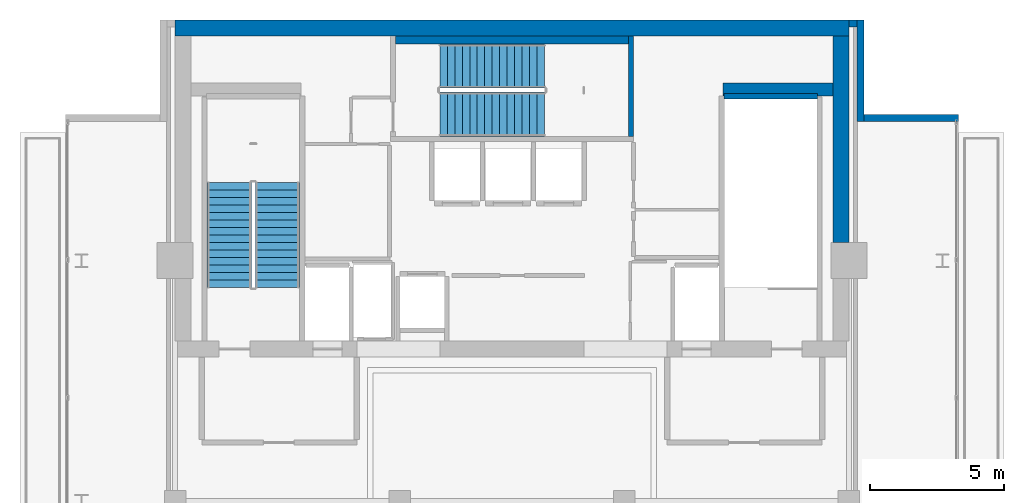
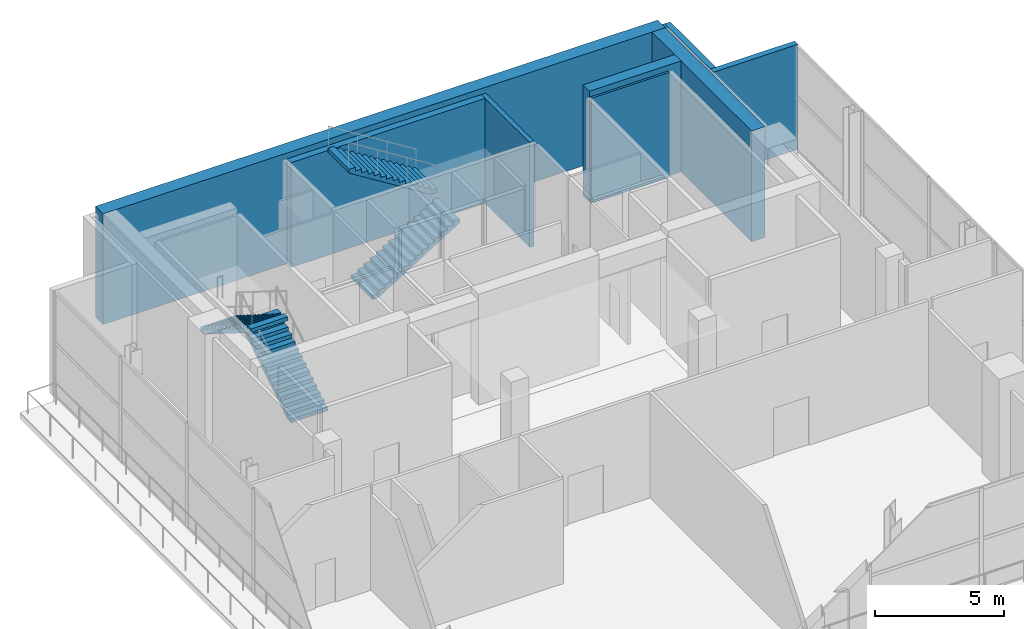
# One storey, part 15 of 19: 9 walls, 4 stair flights, 2 elements without a shape of their own.
"""IFC4 building model written with IfcOpenShell, lengths in metres."""

import ifcopenshell
import ifcopenshell.guid

model = None  # the IFC model being written
_history = None  # IfcOwnerHistory: only IFC2X3 demands one
_inside = {}  # id of a spatial element -> (the spatial element, [elements in it])
_under = {}  # id of a project, library or spatial element -> (it, [spatial elements below it])
_declared = {}  # id of a project -> (the project, [libraries it declares])
_typed = {}  # id of a type object -> (the type object, [elements of that type])
_made_of = {}  # id of a material, layer set ... -> (it, [elements and type objects made of it])


def new_model(schema):
    """Start an empty IFC model of exactly this schema.

    Asked for "IFC4X3", IfcOpenShell would pick the latest addendum, in which some entities
    have other attributes; the version numbers below select the first issue.
    IFC2X3 requires an IfcOwnerHistory on every rooted entity: one is made here for all.
    """
    global model, _history
    if schema == "IFC4X3":
        model = ifcopenshell.file(schema_version=(4, 3, 0, 0))
    else:
        model = ifcopenshell.file(schema=schema)
    _inside.clear()
    _under.clear()
    _declared.clear()
    _typed.clear()
    _made_of.clear()
    _history = None
    if model.schema == "IFC2X3":
        org = make("IfcOrganization", Name="unknown")
        user = make(
            "IfcPersonAndOrganization",
            ThePerson=make("IfcPerson", FamilyName="unknown"),
            TheOrganization=org,
        )
        app = make(
            "IfcApplication",
            ApplicationDeveloper=org,
            Version="unknown",
            ApplicationFullName="unknown",
            ApplicationIdentifier="unknown",
        )
        _history = make(
            "IfcOwnerHistory",
            OwningUser=user,
            OwningApplication=app,
            ChangeAction="ADDED",
            CreationDate=0,
        )
    return model


def make(cls, **values):
    """One entity of the class cls with the attributes given. An attribute that is None is left unset."""
    return model.create_entity(
        cls, **{name: value for name, value in values.items() if value is not None}
    )


def rooted(cls, **values):
    """An entity with a GlobalId (a new one), such as an element, a storey or a relation."""
    return make(cls, GlobalId=ifcopenshell.guid.new(), OwnerHistory=_history, **values)


def si_unit(unit_type, name, prefix=None):
    """IfcSIUnit, for example si_unit("LENGTHUNIT", "METRE", prefix="MILLI")."""
    return make("IfcSIUnit", UnitType=unit_type, Prefix=prefix, Name=name)


def assignment(units):
    """IfcUnitAssignment: the units of a project."""
    return None if units is None else make("IfcUnitAssignment", Units=units)


def point(xyz):
    """IfcCartesianPoint."""
    return None if xyz is None else make("IfcCartesianPoint", Coordinates=xyz)


def direction(xyz):
    """IfcDirection."""
    return None if xyz is None else make("IfcDirection", DirectionRatios=xyz)


def frame(location, z_axis=None, x_axis=None):
    """IfcAxis2Placement3D, a coordinate frame: its origin and axes. An axis left out is left unset."""
    return make(
        "IfcAxis2Placement3D",
        Location=point(location),
        Axis=direction(z_axis),
        RefDirection=direction(x_axis),
    )


def frame_2d(location, x_axis=None):
    """IfcAxis2Placement2D, a coordinate frame in the plane: its origin and x axis."""
    return make(
        "IfcAxis2Placement2D", Location=point(location), RefDirection=direction(x_axis)
    )


def origin():
    """The frame at (0, 0, 0) with its axes left unset."""
    return frame((0.0, 0.0, 0.0))


def place(relative_to, where):
    """IfcLocalPlacement: puts the frame where relative to a parent placement (None: the world)."""
    return make(
        "IfcLocalPlacement", PlacementRelTo=relative_to, RelativePlacement=where
    )


def context(
    kind, dimensions, precision=None, world=None, true_north=None, identifier=None
):
    """IfcGeometricRepresentationContext, for example the 3D "Model" context."""
    return make(
        "IfcGeometricRepresentationContext",
        ContextIdentifier=identifier,
        ContextType=kind,
        CoordinateSpaceDimension=dimensions,
        Precision=precision,
        WorldCoordinateSystem=world,
        TrueNorth=true_north,
    )


def subcontext(parent, identifier, kind, view, scale=None):
    """IfcGeometricRepresentationSubContext, for example "Body" below "Model"."""
    return make(
        "IfcGeometricRepresentationSubContext",
        ContextIdentifier=identifier,
        ContextType=kind,
        ParentContext=parent,
        TargetScale=scale,
        TargetView=view,
    )


def project(units=None, contexts=None):
    """IfcProject with its units and contexts."""
    return rooted(
        "IfcProject",
        Name="project",
        RepresentationContexts=contexts,
        UnitsInContext=assignment(units),
    )


def spatial(cls, under=None, at=None, **own):
    """A site, building, storey or space (cls), placed at a placement, below another one or the project."""
    s = rooted(cls, ObjectPlacement=at, **own)
    if under is not None:
        _under.setdefault(under.id(), (under, []))[1].append(s)
    return s


def polyline(points):
    """IfcPolyline through the points."""
    return make("IfcPolyline", Points=[point(p) for p in points])


def profile(cls, at=None, kind="AREA", **sizes):
    """A parametric profile (cls). Its sizes go by their IFC names, for example OverallWidth=200.0."""
    return make(cls, ProfileType=kind, Position=at, **sizes)


def rectangle(**sizes):
    """IfcRectangleProfileDef."""
    return profile("IfcRectangleProfileDef", **sizes)


def outline(outer, holes=None, kind="AREA"):
    """IfcArbitraryClosedProfileDef: a profile drawn as a closed curve; with holes, ...WithVoids."""
    if holes is None:
        return make("IfcArbitraryClosedProfileDef", ProfileType=kind, OuterCurve=outer)
    return make(
        "IfcArbitraryProfileDefWithVoids",
        ProfileType=kind,
        OuterCurve=outer,
        InnerCurves=holes,
    )


def extrude(swept, where, along, depth):
    """IfcExtrudedAreaSolid: the profile swept, set in the frame where, extruded along a direction by depth."""
    return make(
        "IfcExtrudedAreaSolid",
        SweptArea=swept,
        Position=where,
        ExtrudedDirection=direction(along),
        Depth=depth,
    )


def shape(context_of_items, identifier, shape_type, items):
    """IfcShapeRepresentation: the items that make up one representation, for example the "Body"."""
    return make(
        "IfcShapeRepresentation",
        ContextOfItems=context_of_items,
        RepresentationIdentifier=identifier,
        RepresentationType=shape_type,
        Items=items,
    )


def material(Name=None, Category=None):
    """IfcMaterial."""
    return make("IfcMaterial", Name=Name, Category=Category)


def layer(
    of_material, thickness, ventilated=None, Name=None, Category=None, Priority=None
):
    """IfcMaterialLayer: one layer of a wall or slab, of a material (None: an air gap)."""
    return make(
        "IfcMaterialLayer",
        Material=of_material,
        LayerThickness=thickness,
        IsVentilated=ventilated,
        Name=Name,
        Category=Category,
        Priority=Priority,
    )


def layer_set(layers, Name=None):
    """IfcMaterialLayerSet."""
    return make("IfcMaterialLayerSet", MaterialLayers=layers, LayerSetName=Name)


def made_of(thing, what):
    """Note that an element or type object is made of a material, layer set ...; save() writes the relation."""
    if what is not None:
        _made_of.setdefault(what.id(), (what, []))[1].append(thing)
    return thing


def type_object(cls, material=None, **own):
    """A type object (cls), such as IfcWallType, which elements share."""
    return made_of(rooted(cls, **own), material)


def element(
    cls,
    number,
    at=None,
    inside=None,
    cuts=None,
    type_object=None,
    material=None,
    context=None,
    identifier="Body",
    shape_type=None,
    held_by="IfcProductDefinitionShape",
    body=None,
    shapes=None,
    **own,
):
    """One element of the class cls, such as IfcWall. Its Tag is "e" and its number.

    at: its placement. inside: the storey or other place that contains it. cuts: it is an
    opening in that element (IfcRelVoidsElement). A single representation is given by context,
    identifier, shape_type and body (its items); several are given by shapes. held_by: the class
    of the entity that holds the representations. save() writes the other relations.
    """
    e = rooted(cls, Tag="e%d" % number, ObjectPlacement=at, **own)
    if body is not None:
        shapes = [shape(context, identifier, shape_type, body)]
    if shapes is not None:
        e.Representation = make(held_by, Representations=shapes)
    if inside is not None:
        _inside.setdefault(inside.id(), (inside, []))[1].append(e)
    if cuts is not None:
        rooted(
            "IfcRelVoidsElement", RelatingBuildingElement=cuts, RelatedOpeningElement=e
        )
    if type_object is not None:
        _typed.setdefault(type_object.id(), (type_object, []))[1].append(e)
    return made_of(e, material)


def aggregate(whole, parts):
    """IfcRelAggregates: a whole, such as a stair, and the parts it consists of."""
    return rooted("IfcRelAggregates", RelatingObject=whole, RelatedObjects=parts)


def save(model, path):
    """Write the relations noted so far, then the file.

    IfcRelAggregates (storeys below a building ...), IfcRelContainedInSpatialStructure (elements
    in a storey), IfcRelDefinesByType, IfcRelAssociatesMaterial and IfcRelDeclares: one each for
    every whole, place, type object, material and project.
    """
    for whole, parts in _under.values():
        aggregate(whole, parts)
    for where, things in _inside.values():
        rooted(
            "IfcRelContainedInSpatialStructure",
            RelatedElements=things,
            RelatingStructure=where,
        )
    for kind, things in _typed.values():
        rooted("IfcRelDefinesByType", RelatedObjects=things, RelatingType=kind)
    for what, things in _made_of.values():
        rooted("IfcRelAssociatesMaterial", RelatedObjects=things, RelatingMaterial=what)
    for by, libraries in _declared.values():
        rooted("IfcRelDeclares", RelatingContext=by, RelatedDefinitions=libraries)
    model.write(path)


model = new_model("IFC4")

# Units and contexts
model_context = context("Model", 3, precision=1e-05, world=origin(), true_north=direction((0.0, 1.0)))
body_context = subcontext(model_context, "Body", "Model", "MODEL_VIEW")
ifc_project = project(units=[si_unit("LENGTHUNIT", "METRE"), si_unit("AREAUNIT", "SQUARE_METRE"), si_unit("VOLUMEUNIT", "CUBIC_METRE"), si_unit("PLANEANGLEUNIT", "RADIAN"), si_unit("MASSUNIT", "GRAM", prefix="KILO")], contexts=[model_context])

# Site, building, storey
site_placement = place(None, origin())
site = spatial("IfcSite", under=ifc_project, at=site_placement, CompositionType="ELEMENT")
building_placement = place(site_placement, origin())
building = spatial("IfcBuilding", under=site, at=building_placement, Name="Maruvema Waterfront Hotel and Observation Tower", CompositionType="ELEMENT")
storey_placement = place(building_placement, frame((0.0, 0.0, 359.10009765625)))
storey = spatial("IfcBuildingStorey", under=building, at=storey_placement, Name="L88", CompositionType="ELEMENT", Elevation=359.10009765625)

# Walls
ifc_material_1 = material(Name="Precast concrete C45/55", Category="concrete")
ifc_layer_1 = layer(ifc_material_1, 0.300048828125, Name="Core Shaft Furring Wall 300 mm")
ifc_layer_set_1 = layer_set([ifc_layer_1], Name="Precast concrete C45/55")
wall_type_1 = type_object("IfcWallType", Name="Core Shaft Furring Wall 300 mm", PredefinedType="SOLIDWALL", material=ifc_layer_set_1)
wall_1_placement = place(storey_placement, frame((33.449951171875, 53.25, 0.0), z_axis=(0.0, 0.0, 1.0), x_axis=(1.0, 0.0, 0.0)))
element("IfcWall", 1, at=wall_1_placement, inside=storey, type_object=wall_type_1, Name="L88 Stairwell ST-02 North Furring Wall", PredefinedType="SOLIDWALL", context=body_context, shape_type="SweptSolid", body=[
    extrude(rectangle(XDim=8.699951171875, YDim=0.300048828125, at=frame_2d((4.35009765625, 0.0))), origin(), (0.0, 0.0, 1.0), 4.969970703125),
])
ifc_material_2 = material(Name="Precast concrete C45/55", Category="concrete")
ifc_layer_2 = layer(ifc_material_2, 0.199951171875, Name="Core Shaft and Stairwell Enclosure Wall 200 mm")
ifc_layer_set_2 = layer_set([ifc_layer_2], Name="Precast concrete C45/55")
wall_type_2 = type_object("IfcWallType", Name="Core Shaft and Stairwell Enclosure Wall 200 mm", PredefinedType="SOLIDWALL", material=ifc_layer_set_2)
wall_2_placement = place(storey_placement, frame((42.25, 49.64990234375, 0.0), z_axis=(0.0, 0.0, 1.0), x_axis=(0.0, 1.0, 0.0)))
element("IfcWall", 2, at=wall_2_placement, inside=storey, type_object=wall_type_2, Name="L88 Stairwell ST-02 Shaft Wall", PredefinedType="SOLIDWALL", context=body_context, shape_type="SweptSolid", body=[
    extrude(rectangle(XDim=3.75, YDim=0.199951171875, at=frame_2d((1.875, 0.0))), origin(), (0.0, 0.0, 1.0), 4.969970703125),
])
wall_3_placement = place(storey_placement, frame((45.719970703125, 51.14990234375, 0.0), z_axis=(0.0, 0.0, 1.0), x_axis=(1.0, 0.0, 0.0)))
element("IfcWall", 3, at=wall_3_placement, inside=storey, type_object=wall_type_2, Name="L88 Stairwell ST-03 Shaft Lining Wall", PredefinedType="SOLIDWALL", context=body_context, shape_type="SweptSolid", body=[
    extrude(rectangle(XDim=3.5, YDim=0.199951171875, at=frame_2d((1.75, 0.0))), origin(), (0.0, 0.0, 1.0), 4.969970703125),
])
ifc_material_3 = material(Name="Concrete C70/85", Category="concrete")
ifc_layer_3 = layer(ifc_material_3, 0.5, Name="Core Shear Wall 500 mm")
ifc_layer_set_3 = layer_set([ifc_layer_3], Name="Concrete C70/85")
wall_type_3 = type_object("IfcWallType", Name="Core Shear Wall 500 mm", PredefinedType="SHEAR", material=ifc_layer_set_3)
wall_4_placement = place(storey_placement, frame((45.699951171875, 51.39990234375, 0.0), z_axis=(0.0, 0.0, 1.0), x_axis=(1.0, 0.0, 0.0)))
element("IfcWall", 4, at=wall_4_placement, inside=storey, type_object=wall_type_3, Name="L88 Internal Core Shear Wall NE 500 mm", PredefinedType="SHEAR", context=body_context, shape_type="SweptSolid", body=[
    extrude(rectangle(XDim=4.10009765625, YDim=0.5, at=frame_2d((2.050048828125, 0.0))), origin(), (0.0, 0.0, 1.0), 5.25),
])
ifc_material_4 = material(Name="Concrete C60/75", Category="concrete")
ifc_layer_4 = layer(ifc_material_4, 0.60009765625, Name="Core Shear Wall 600 mm")
ifc_layer_set_4 = layer_set([ifc_layer_4], Name="Concrete C60/75")
wall_type_4 = type_object("IfcWallType", Name="Core Shear Wall 600 mm", PredefinedType="SHEAR", material=ifc_layer_set_4)
wall_5_placement = place(storey_placement, frame((25.199951171875, 53.699951171875, 0.0), z_axis=(0.0, 0.0, 1.0), x_axis=(1.0, 0.0, 0.0)))
element("IfcWall", 5, at=wall_5_placement, inside=storey, type_object=wall_type_4, Name="L88 North Core Shear Wall", PredefinedType="SHEAR", context=body_context, shape_type="SweptSolid", body=[
    extrude(rectangle(XDim=25.199951171875, YDim=0.60009765625, at=frame_2d((12.60009765625, 0.0))), origin(), (0.0, 0.0, 1.0), 5.25),
])
wall_6_placement = place(storey_placement, frame((50.10009765625, 45.675048828125, 0.0), z_axis=(0.0, 0.0, 1.0), x_axis=(0.0, 1.0, 0.0)))
element("IfcWall", 6, at=wall_6_placement, inside=storey, type_object=wall_type_4, Name="L88 East-North Core Shear Wall", PredefinedType="SHEAR", context=body_context, shape_type="SweptSolid", body=[
    extrude(rectangle(XDim=7.724853515625, YDim=0.60009765625, at=frame_2d((3.8623046875, 0.0))), origin(), (0.0, 0.0, 1.0), 5.25),
])
ifc_material_5 = material(Name="Precast concrete C45/55 with honed Pernambuco granite facing", Category="masonry")
ifc_layer_5 = layer(ifc_material_5, 0.260009765625, Name="Exterior Granite Clad Spandrel and Pier Wall 260 mm")
ifc_layer_set_5 = layer_set([ifc_layer_5], Name="Precast concrete C45/55 with honed Pernambuco granite facing")
wall_type_5 = type_object("IfcWallType", Name="Exterior Granite Clad Spandrel and Pier Wall 260 mm", PredefinedType="SOLIDWALL", material=ifc_layer_set_5)
for number, where, z_axis, x_axis, name in (
    (7, (50.830078125, 54.0, 0.0), (0.0, 0.0, 1.0), (0.0, -1.0, 0.0), "L88 Corner Notch Granite Pier Wall NE1"),
    (8, (50.699951171875, 50.330078125, 0.0), (0.0, 0.0, 1.0), (1.0, 0.0, 0.0), "L88 Corner Notch Granite Pier Wall NE2"),
):
    element("IfcWall", number, at=place(storey_placement, frame(where, z_axis=z_axis, x_axis=x_axis)), inside=storey, type_object=wall_type_5, Name=name, PredefinedType="SOLIDWALL", context=body_context, shape_type="SweptSolid", body=[
        extrude(rectangle(XDim=3.800048828125, YDim=0.260009765625, at=frame_2d((1.89990234375, 0.0))), origin(), (0.0, 0.0, 1.0), 4.969970703125),
    ])
wall_7_placement = place(storey_placement, frame((50.699951171875, 53.8701171875, 0.0), z_axis=(0.0, 0.0, 1.0), x_axis=(-1.0, 0.0, 0.0)))
element("IfcWall", 9, at=wall_7_placement, inside=storey, type_object=wall_type_5, Name="L88 North-East Core Flanking Pier Wall", PredefinedType="SOLIDWALL", context=body_context, shape_type="SweptSolid", body=[
    extrude(rectangle(XDim=0.300048828125, YDim=0.260009765625, at=frame_2d((0.14990234375, 0.0))), origin(), (0.0, 0.0, 1.0), 4.969970703125),
])

# Stair, stair flights
ifc_material_6 = material(Name="Concrete C50/60", Category="concrete")
stair_type = type_object("IfcStairType", Name="Dogleg Exit Stair 1650 mm (30R x 175.0 mm)", PredefinedType="HALF_TURN_STAIR", material=ifc_material_6)
stair_1_placement = place(storey_placement, origin())
stair_1 = element("IfcStair", 10, at=stair_1_placement, inside=storey, type_object=stair_type, Name="L88 ST-01", PredefinedType="HALF_TURN_STAIR")
ifc_material_7 = material(Name="Concrete C50/60", Category="concrete")
stair_flight_type = type_object("IfcStairFlightType", Name="Reinforced Concrete Stair Flight 1650 mm (15R x 175.0 mm)", PredefinedType="STRAIGHT", material=ifc_material_7)
stair_flight_1_placement = place(storey_placement, frame((29.02490234375, 44.0, 0.0), z_axis=(0.0, 0.0, 1.0), x_axis=(0.0, 1.0, 0.0)))
stair_flight_1 = element("IfcStairFlight", 11, at=stair_flight_1_placement, type_object=stair_flight_type, Name="ST-01 flight 1", NumberOfRisers=15, NumberOfTreads=14, PredefinedType="STRAIGHT", RiserHeight=0.175, TreadLength=0.28, context=body_context, shape_type="SweptSolid", body=[
    extrude(outline(polyline([(0.0, 0.0), (0.0, 0.175048828125), (0.280029296875, 0.175048828125), (0.280029296875, 0.35009765625), (0.56005859375, 0.35009765625), (0.56005859375, 0.52490234375), (0.840087890625, 0.52490234375), (0.840087890625, 0.699951171875), (1.1201171875, 0.699951171875), (1.1201171875, 0.875), (1.39990234375, 0.875), (1.39990234375, 1.050048828125), (1.679931640625, 1.050048828125), (1.679931640625, 1.22509765625), (1.9599609375, 1.22509765625), (1.9599609375, 1.39990234375), (2.239990234375, 1.39990234375), (2.239990234375, 1.574951171875), (2.52001953125, 1.574951171875), (2.52001953125, 1.75), (2.800048828125, 1.75), (2.800048828125, 1.925048828125), (3.080078125, 1.925048828125), (3.080078125, 2.10009765625), (3.360107421875, 2.10009765625), (3.360107421875, 2.27490234375), (3.639892578125, 2.27490234375), (3.639892578125, 2.449951171875), (3.919921875, 2.449951171875), (3.919921875, 2.625), (3.919921875, 2.273193359375), (0.28271484375, 0.0), (0.0, 0.0)])), frame((0.0, 0.824951171875, 0.0), z_axis=(0.0, -1.0, 0.0), x_axis=(1.0, 0.0, 0.0)), (0.0, 0.0, 1.0), 1.64990234375),
])
stair_flight_2_placement = place(storey_placement, frame((27.22509765625, 47.919921875, 2.625), z_axis=(0.0, 0.0, 1.0), x_axis=(0.0, -1.0, 0.0)))
stair_flight_2 = element("IfcStairFlight", 12, at=stair_flight_2_placement, type_object=stair_flight_type, Name="ST-01 flight 2", NumberOfRisers=15, NumberOfTreads=14, PredefinedType="STRAIGHT", RiserHeight=0.175, TreadLength=0.28, context=body_context, shape_type="SweptSolid", body=[
    extrude(outline(polyline([(0.0, 0.0), (0.0, 0.175048828125), (0.280029296875, 0.175048828125), (0.280029296875, 0.35009765625), (0.56005859375, 0.35009765625), (0.56005859375, 0.52490234375), (0.840087890625, 0.52490234375), (0.840087890625, 0.699951171875), (1.1201171875, 0.699951171875), (1.1201171875, 0.875), (1.39990234375, 0.875), (1.39990234375, 1.050048828125), (1.679931640625, 1.050048828125), (1.679931640625, 1.22509765625), (1.9599609375, 1.22509765625), (1.9599609375, 1.39990234375), (2.239990234375, 1.39990234375), (2.239990234375, 1.574951171875), (2.52001953125, 1.574951171875), (2.52001953125, 1.75), (2.800048828125, 1.75), (2.800048828125, 1.925048828125), (3.080078125, 1.925048828125), (3.080078125, 2.10009765625), (3.360107421875, 2.10009765625), (3.360107421875, 2.27490234375), (3.639892578125, 2.27490234375), (3.639892578125, 2.449951171875), (3.919921875, 2.449951171875), (3.919921875, 2.625), (3.919921875, 2.273193359375), (0.28271484375, 0.0), (0.0, 0.0)])), frame((0.0, 0.824951171875, 0.0), z_axis=(0.0, -1.0, 0.0), x_axis=(1.0, 0.0, 0.0)), (0.0, 0.0, 1.0), 1.64990234375),
])
aggregate(stair_1, [stair_flight_1, stair_flight_2])

stair_2_placement = place(storey_placement, origin())
stair_2 = element("IfcStair", 13, at=stair_2_placement, inside=storey, type_object=stair_type, Name="L88 ST-02", PredefinedType="HALF_TURN_STAIR")
stair_flight_3_placement = place(storey_placement, frame((35.10009765625, 50.47509765625, 0.0), z_axis=(0.0, 0.0, 1.0), x_axis=(1.0, 0.0, 0.0)))
stair_flight_3 = element("IfcStairFlight", 14, at=stair_flight_3_placement, type_object=stair_flight_type, Name="ST-02 flight 1", NumberOfRisers=15, NumberOfTreads=14, PredefinedType="STRAIGHT", RiserHeight=0.175, TreadLength=0.28, context=body_context, shape_type="SweptSolid", body=[
    extrude(outline(polyline([(0.0, 0.0), (0.0, 0.175048828125), (0.280029296875, 0.175048828125), (0.280029296875, 0.35009765625), (0.56005859375, 0.35009765625), (0.56005859375, 0.52490234375), (0.840087890625, 0.52490234375), (0.840087890625, 0.699951171875), (1.1201171875, 0.699951171875), (1.1201171875, 0.875), (1.39990234375, 0.875), (1.39990234375, 1.050048828125), (1.679931640625, 1.050048828125), (1.679931640625, 1.22509765625), (1.9599609375, 1.22509765625), (1.9599609375, 1.39990234375), (2.239990234375, 1.39990234375), (2.239990234375, 1.574951171875), (2.52001953125, 1.574951171875), (2.52001953125, 1.75), (2.800048828125, 1.75), (2.800048828125, 1.925048828125), (3.080078125, 1.925048828125), (3.080078125, 2.10009765625), (3.360107421875, 2.10009765625), (3.360107421875, 2.27490234375), (3.639892578125, 2.27490234375), (3.639892578125, 2.449951171875), (3.919921875, 2.449951171875), (3.919921875, 2.625), (3.919921875, 2.273193359375), (0.28271484375, 0.0), (0.0, 0.0)])), frame((0.0, 0.824951171875, 0.0), z_axis=(0.0, -1.0, 0.0), x_axis=(1.0, 0.0, 0.0)), (0.0, 0.0, 1.0), 1.64990234375),
])
stair_flight_4_placement = place(storey_placement, frame((39.02001953125, 52.27490234375, 2.625), z_axis=(0.0, 0.0, 1.0), x_axis=(-1.0, 0.0, 0.0)))
stair_flight_4 = element("IfcStairFlight", 15, at=stair_flight_4_placement, type_object=stair_flight_type, Name="ST-02 flight 2", NumberOfRisers=15, NumberOfTreads=14, PredefinedType="STRAIGHT", RiserHeight=0.175, TreadLength=0.28, context=body_context, shape_type="SweptSolid", body=[
    extrude(outline(polyline([(0.0, 0.0), (0.0, 0.175048828125), (0.280029296875, 0.175048828125), (0.280029296875, 0.35009765625), (0.56005859375, 0.35009765625), (0.56005859375, 0.52490234375), (0.840087890625, 0.52490234375), (0.840087890625, 0.699951171875), (1.1201171875, 0.699951171875), (1.1201171875, 0.875), (1.39990234375, 0.875), (1.39990234375, 1.050048828125), (1.679931640625, 1.050048828125), (1.679931640625, 1.22509765625), (1.9599609375, 1.22509765625), (1.9599609375, 1.39990234375), (2.239990234375, 1.39990234375), (2.239990234375, 1.574951171875), (2.52001953125, 1.574951171875), (2.52001953125, 1.75), (2.800048828125, 1.75), (2.800048828125, 1.925048828125), (3.080078125, 1.925048828125), (3.080078125, 2.10009765625), (3.360107421875, 2.10009765625), (3.360107421875, 2.27490234375), (3.639892578125, 2.27490234375), (3.639892578125, 2.449951171875), (3.919921875, 2.449951171875), (3.919921875, 2.625), (3.919921875, 2.273193359375), (0.28271484375, 0.0), (0.0, 0.0)])), frame((0.0, 0.824951171875, 0.0), z_axis=(0.0, -1.0, 0.0), x_axis=(1.0, 0.0, 0.0)), (0.0, 0.0, 1.0), 1.64990234375),
])
aggregate(stair_2, [stair_flight_3, stair_flight_4])

save(model, "model.ifc")
